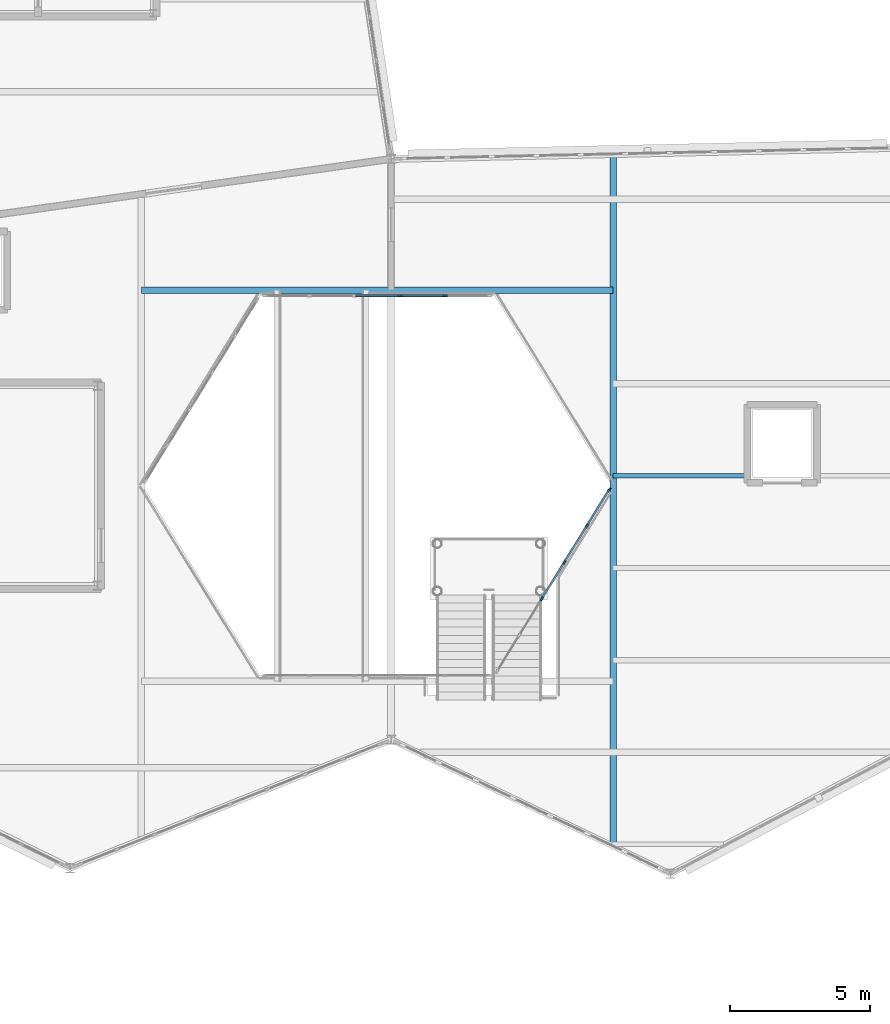
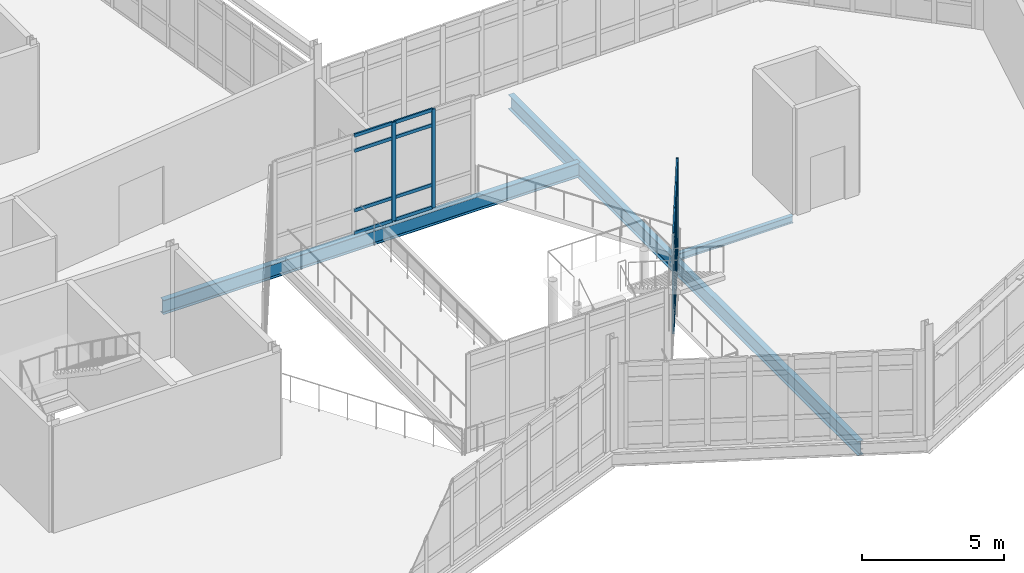
# One storey, part 24 of 76: 26 members, 3 beams, 2 elements without a shape of their own.
"""IFC4 building model written with IfcOpenShell, lengths in metres."""

from ifc_helpers import new_model, si_unit, direction, frame, origin, origin_2d, place, context, subcontext, project, spatial, rectangle, i_section, extrude, material, material_profile, profile_set, type_object, element, aggregate, save


model = new_model("IFC4")

# Units and contexts
model_context = context("Model", 3, precision=1e-05, world=origin(), true_north=direction((0.0, 1.0)))
body_context = subcontext(model_context, "Body", "Model", "MODEL_VIEW")
ifc_project = project(units=[si_unit("LENGTHUNIT", "METRE"), si_unit("AREAUNIT", "SQUARE_METRE"), si_unit("VOLUMEUNIT", "CUBIC_METRE"), si_unit("PLANEANGLEUNIT", "RADIAN"), si_unit("MASSUNIT", "GRAM", prefix="KILO")], contexts=[model_context])

# Site, building, storey
site_placement = place(None, origin())
site = spatial("IfcSite", under=ifc_project, at=site_placement, CompositionType="ELEMENT")
building_placement = place(site_placement, origin())
building = spatial("IfcBuilding", under=site, at=building_placement, Name="Tameran Prism Museum", CompositionType="ELEMENT")
storey_placement = place(building_placement, frame((0.0, 0.0, 15.0)))
storey = spatial("IfcBuildingStorey", under=building, at=storey_placement, Name="L03", CompositionType="ELEMENT", Elevation=15.0)

# Beams
ifc_material_1 = material(Name="Steel Grade 300PLUS (300 MPa)", Category="steel")
ifc_material_profile_1 = material_profile(ifc_material_1, i_section(OverallWidth=0.1650390625, OverallDepth=0.303955078125, WebThickness=0.006103515625, FlangeThickness=0.01025390625, FilletRadius=0.011474609375, at=origin_2d()))
ifc_profile_set_1 = profile_set([ifc_material_profile_1])
beam_type_1 = type_object("IfcBeamType", Name="BM-J310B", PredefinedType="JOIST", material=ifc_profile_set_1)
beam_1_placement = place(storey_placement, frame((85.449951171875, 36.85009765625, -0.35205078125), z_axis=(1.0, 0.0, 0.0), x_axis=(0.0, 1.0, 0.0)))
element("IfcBeam", 1, at=beam_1_placement, inside=storey, type_object=beam_type_1, Name="Floor Beam BM-1090", PredefinedType="JOIST", context=body_context, shape_type="SweptSolid", body=[
    extrude(i_section(OverallWidth=0.1650390625, OverallDepth=0.303955078125, WebThickness=0.006103515625, FlangeThickness=0.01025390625, FilletRadius=0.011474609375, at=origin_2d()), origin(), (0.0, 0.0, 1.0), 4.820068359375),
])
ifc_material_2 = material(Name="Steel Grade 300PLUS (300 MPa)", Category="steel")
ifc_material_profile_2 = material_profile(ifc_material_2, i_section(OverallWidth=0.22900390625, OverallDepth=0.612060546875, WebThickness=0.011962890625, FlangeThickness=0.01953125, FilletRadius=0.013916015625, at=origin_2d()))
ifc_profile_set_2 = profile_set([ifc_material_profile_2])
beam_type_2 = type_object("IfcBeamType", Name="BM-UB610A", PredefinedType="BEAM", material=ifc_profile_set_2)
beam_2_placement = place(storey_placement, frame((68.550048828125, 43.5, -0.5458984375), z_axis=(1.0, 0.0, 0.0), x_axis=(0.0, 1.0, 0.0)))
element("IfcBeam", 2, at=beam_2_placement, inside=storey, type_object=beam_type_2, Name="Atrium Transverse Trimmer ATE-1047", PredefinedType="BEAM", context=body_context, shape_type="SweptSolid", body=[
    extrude(i_section(OverallWidth=0.22900390625, OverallDepth=0.612060546875, WebThickness=0.011962890625, FlangeThickness=0.01953125, FilletRadius=0.013916015625, at=origin_2d()), origin(), (0.0, 0.0, 1.0), 16.89990234375),
])
beam_3_placement = place(storey_placement, frame((85.449951171875, 23.7060546875, -0.5458984375), z_axis=(0.0, 1.0, 0.0), x_axis=(-1.0, 0.0, 0.0)))
element("IfcBeam", 3, at=beam_3_placement, inside=storey, type_object=beam_type_2, Name="Atrium Opening Trimmer Girder AT-1049", PredefinedType="BEAM", context=body_context, shape_type="SweptSolid", body=[
    extrude(i_section(OverallWidth=0.22900390625, OverallDepth=0.612060546875, WebThickness=0.011962890625, FlangeThickness=0.01953125, FilletRadius=0.013916015625, at=origin_2d()), origin(), (0.0, 0.0, 1.0), 24.557861328125),
])

# Curtain wall, members
ifc_material_3 = material(Name="Anodised Aluminium 6063-T6 and Cyclone Solar Glass", Category="aluminium")
curtain_wall_type_1 = type_object("IfcCurtainWallType", Name="CW-ATR-769x424", PredefinedType="USERDEFINED", material=ifc_material_3)
curtain_wall_1_placement = place(storey_placement, origin())
curtain_wall_1 = element("IfcCurtainWall", 4, at=curtain_wall_1_placement, inside=storey, type_object=curtain_wall_type_1, Name="Unitised Curtain Wall CW-012", ObjectType="UNITISED CURTAIN WALL", PredefinedType="USERDEFINED")
ifc_material_4 = material(Name="Anodised Aluminium Alloy 6063-T6", Category="aluminium")
ifc_material_profile_3 = material_profile(ifc_material_4, rectangle(XDim=0.06494140625, YDim=0.159912109375, at=origin_2d()))
ifc_profile_set_3 = profile_set([ifc_material_profile_3])
member_type_1 = type_object("IfcMemberType", Name="CW-MUL-A", PredefinedType="MULLION", material=ifc_profile_set_3)
member_1_placement = place(storey_placement, frame((82.895751953125, 32.445556640625, 0.0), z_axis=(0.0, 0.0, 1.0), x_axis=(-0.850791158897, 0.525503952357, 0.0)))
member_1 = element("IfcMember", 5, at=member_1_placement, type_object=member_type_1, Name="CW-012 mullion 3", PredefinedType="MULLION", context=body_context, shape_type="SweptSolid", body=[
    extrude(rectangle(XDim=0.06494140625, YDim=0.159912109375, at=origin_2d()), origin(), (0.0, 0.0, 1.0), 4.239990234375),
])
member_2_placement = place(storey_placement, frame((83.7041015625, 33.75439453125, 0.0), z_axis=(0.0, 0.0, 1.0), x_axis=(-0.850791158897, 0.525503952357, 0.0)))
member_2 = element("IfcMember", 6, at=member_2_placement, type_object=member_type_1, Name="CW-012 mullion 4", PredefinedType="MULLION", context=body_context, shape_type="SweptSolid", body=[
    extrude(rectangle(XDim=0.06494140625, YDim=0.159912109375, at=origin_2d()), origin(), (0.0, 0.0, 1.0), 4.239990234375),
])
member_3_placement = place(storey_placement, frame((84.5126953125, 35.063232421875, 0.0), z_axis=(0.0, 0.0, 1.0), x_axis=(-0.850791158897, 0.525503952357, 0.0)))
member_3 = element("IfcMember", 7, at=member_3_placement, type_object=member_type_1, Name="CW-012 mullion 5", PredefinedType="MULLION", context=body_context, shape_type="SweptSolid", body=[
    extrude(rectangle(XDim=0.06494140625, YDim=0.159912109375, at=origin_2d()), origin(), (0.0, 0.0, 1.0), 4.239990234375),
])
member_4_placement = place(storey_placement, frame((85.303955078125, 36.34423828125, 0.0), z_axis=(0.0, 0.0, 1.0), x_axis=(-0.850791158897, 0.525503952357, 0.0)))
member_4 = element("IfcMember", 8, at=member_4_placement, type_object=member_type_1, Name="CW-012 mullion 6", PredefinedType="MULLION", context=body_context, shape_type="SweptSolid", body=[
    extrude(rectangle(XDim=0.06494140625, YDim=0.159912109375, at=origin_2d()), origin(), (0.0, 0.0, 1.0), 4.239990234375),
])

ifc_material_5 = material(Name="Anodised Aluminium 6063-T6 and Cyclone Solar Glass", Category="aluminium")
curtain_wall_type_2 = type_object("IfcCurtainWallType", Name="CW-ATR-810x424", PredefinedType="USERDEFINED", material=ifc_material_5)
curtain_wall_2_placement = place(storey_placement, origin())
curtain_wall_2 = element("IfcCurtainWall", 9, at=curtain_wall_2_placement, inside=storey, type_object=curtain_wall_type_2, Name="Unitised Curtain Wall CW-013", ObjectType="UNITISED CURTAIN WALL", PredefinedType="USERDEFINED")
member_5_placement = place(storey_placement, frame((79.429931640625, 43.300048828125, 0.0), z_axis=(0.0, 0.0, 1.0), x_axis=(0.0, -1.0, 0.0)))
member_5 = element("IfcMember", 10, at=member_5_placement, type_object=member_type_1, Name="CW-013 mullion 2", PredefinedType="MULLION", context=body_context, shape_type="SweptSolid", body=[
    extrude(rectangle(XDim=0.06494140625, YDim=0.159912109375, at=origin_2d()), origin(), (0.0, 0.0, 1.0), 4.239990234375),
])
member_6_placement = place(storey_placement, frame((77.81005859375, 43.300048828125, 0.0), z_axis=(0.0, 0.0, 1.0), x_axis=(0.0, -1.0, 0.0)))
member_6 = element("IfcMember", 11, at=member_6_placement, type_object=member_type_1, Name="CW-013 mullion 3", PredefinedType="MULLION", context=body_context, shape_type="SweptSolid", body=[
    extrude(rectangle(XDim=0.06494140625, YDim=0.159912109375, at=origin_2d()), origin(), (0.0, 0.0, 1.0), 4.239990234375),
])

# Member
ifc_material_6 = material(Name="Anodised Aluminium Alloy 6063-T6", Category="aluminium")
ifc_material_profile_4 = material_profile(ifc_material_6, rectangle(XDim=0.06494140625, YDim=0.139892578125, at=origin_2d()))
ifc_profile_set_4 = profile_set([ifc_material_profile_4])
member_type_2 = type_object("IfcMemberType", Name="CW-TRN-A", PredefinedType="USERDEFINED", material=ifc_profile_set_4)
member_7_placement = place(storey_placement, frame((82.912841796875, 32.47314453125, 0.032470703125), z_axis=(0.525418798442, 0.850843749606, 0.0), x_axis=(-0.850843749606, 0.525418798442, 0.0)))
member_7 = element("IfcMember", 12, at=member_7_placement, type_object=member_type_2, Name="CW-012 transom 3.1", ObjectType="TRANSOM", PredefinedType="USERDEFINED", context=body_context, shape_type="SweptSolid", body=[
    extrude(rectangle(XDim=0.06494140625, YDim=0.139892578125, at=origin_2d()), origin(), (0.0, 0.0, 1.0), 1.473388671875),
])

member_8_placement = place(storey_placement, frame((82.912841796875, 32.47314453125, 1.0), z_axis=(0.525418798442, 0.850843749606, 0.0), x_axis=(-0.850843749606, 0.525418798442, 0.0)))
member_8 = element("IfcMember", 13, at=member_8_placement, type_object=member_type_2, Name="CW-012 transom 3.2", ObjectType="TRANSOM", PredefinedType="USERDEFINED", context=body_context, shape_type="SweptSolid", body=[
    extrude(rectangle(XDim=0.06494140625, YDim=0.139892578125, at=origin_2d()), origin(), (0.0, 0.0, 1.0), 1.473388671875),
])

member_9_placement = place(storey_placement, frame((82.912841796875, 32.47314453125, 3.56005859375), z_axis=(0.525418798442, 0.850843749606, 0.0), x_axis=(-0.850843749606, 0.525418798442, 0.0)))
member_9 = element("IfcMember", 14, at=member_9_placement, type_object=member_type_2, Name="CW-012 transom 3.3", ObjectType="TRANSOM", PredefinedType="USERDEFINED", context=body_context, shape_type="SweptSolid", body=[
    extrude(rectangle(XDim=0.06494140625, YDim=0.139892578125, at=origin_2d()), origin(), (0.0, 0.0, 1.0), 1.473388671875),
])

member_10_placement = place(storey_placement, frame((82.912841796875, 32.47314453125, 4.20751953125), z_axis=(0.525418798442, 0.850843749606, 0.0), x_axis=(-0.850843749606, 0.525418798442, 0.0)))
member_10 = element("IfcMember", 15, at=member_10_placement, type_object=member_type_2, Name="CW-012 transom 3.4", ObjectType="TRANSOM", PredefinedType="USERDEFINED", context=body_context, shape_type="SweptSolid", body=[
    extrude(rectangle(XDim=0.06494140625, YDim=0.139892578125, at=origin_2d()), origin(), (0.0, 0.0, 1.0), 1.473388671875),
])

member_11_placement = place(storey_placement, frame((83.72119140625, 33.781982421875, 0.032470703125), z_axis=(0.525538735192, 0.850769673774, 0.0), x_axis=(-0.850769673774, 0.525538735192, 0.0)))
member_11 = element("IfcMember", 16, at=member_11_placement, type_object=member_type_2, Name="CW-012 transom 4.1", ObjectType="TRANSOM", PredefinedType="USERDEFINED", context=body_context, shape_type="SweptSolid", body=[
    extrude(rectangle(XDim=0.06494140625, YDim=0.139892578125, at=origin_2d()), origin(), (0.0, 0.0, 1.0), 1.4736328125),
])

member_12_placement = place(storey_placement, frame((83.72119140625, 33.781982421875, 1.0), z_axis=(0.525538735192, 0.850769673774, 0.0), x_axis=(-0.850769673774, 0.525538735192, 0.0)))
member_12 = element("IfcMember", 17, at=member_12_placement, type_object=member_type_2, Name="CW-012 transom 4.2", ObjectType="TRANSOM", PredefinedType="USERDEFINED", context=body_context, shape_type="SweptSolid", body=[
    extrude(rectangle(XDim=0.06494140625, YDim=0.139892578125, at=origin_2d()), origin(), (0.0, 0.0, 1.0), 1.4736328125),
])

member_13_placement = place(storey_placement, frame((83.72119140625, 33.781982421875, 3.56005859375), z_axis=(0.525538735192, 0.850769673774, 0.0), x_axis=(-0.850769673774, 0.525538735192, 0.0)))
member_13 = element("IfcMember", 18, at=member_13_placement, type_object=member_type_2, Name="CW-012 transom 4.3", ObjectType="TRANSOM", PredefinedType="USERDEFINED", context=body_context, shape_type="SweptSolid", body=[
    extrude(rectangle(XDim=0.06494140625, YDim=0.139892578125, at=origin_2d()), origin(), (0.0, 0.0, 1.0), 1.4736328125),
])

member_14_placement = place(storey_placement, frame((83.72119140625, 33.781982421875, 4.20751953125), z_axis=(0.525538735192, 0.850769673774, 0.0), x_axis=(-0.850769673774, 0.525538735192, 0.0)))
member_14 = element("IfcMember", 19, at=member_14_placement, type_object=member_type_2, Name="CW-012 transom 4.4", ObjectType="TRANSOM", PredefinedType="USERDEFINED", context=body_context, shape_type="SweptSolid", body=[
    extrude(rectangle(XDim=0.06494140625, YDim=0.139892578125, at=origin_2d()), origin(), (0.0, 0.0, 1.0), 1.4736328125),
])

member_15_placement = place(storey_placement, frame((84.52978515625, 35.0908203125, 0.032470703125), z_axis=(0.525467627301, 0.850813594543, 0.0), x_axis=(-0.850813594543, 0.525467627301, 0.0)))
member_15 = element("IfcMember", 20, at=member_15_placement, type_object=member_type_2, Name="CW-012 transom 5.1", ObjectType="TRANSOM", PredefinedType="USERDEFINED", context=body_context, shape_type="SweptSolid", body=[
    extrude(rectangle(XDim=0.06494140625, YDim=0.139892578125, at=origin_2d()), origin(), (0.0, 0.0, 1.0), 1.440673828125),
])

member_16_placement = place(storey_placement, frame((84.52978515625, 35.0908203125, 1.0), z_axis=(0.525467627301, 0.850813594543, 0.0), x_axis=(-0.850813594543, 0.525467627301, 0.0)))
member_16 = element("IfcMember", 21, at=member_16_placement, type_object=member_type_2, Name="CW-012 transom 5.2", ObjectType="TRANSOM", PredefinedType="USERDEFINED", context=body_context, shape_type="SweptSolid", body=[
    extrude(rectangle(XDim=0.06494140625, YDim=0.139892578125, at=origin_2d()), origin(), (0.0, 0.0, 1.0), 1.440673828125),
])

member_17_placement = place(storey_placement, frame((84.52978515625, 35.0908203125, 3.56005859375), z_axis=(0.525467627301, 0.850813594543, 0.0), x_axis=(-0.850813594543, 0.525467627301, 0.0)))
member_17 = element("IfcMember", 22, at=member_17_placement, type_object=member_type_2, Name="CW-012 transom 5.3", ObjectType="TRANSOM", PredefinedType="USERDEFINED", context=body_context, shape_type="SweptSolid", body=[
    extrude(rectangle(XDim=0.06494140625, YDim=0.139892578125, at=origin_2d()), origin(), (0.0, 0.0, 1.0), 1.440673828125),
])

member_18_placement = place(storey_placement, frame((84.52978515625, 35.0908203125, 4.20751953125), z_axis=(0.525467627301, 0.850813594543, 0.0), x_axis=(-0.850813594543, 0.525467627301, 0.0)))
member_18 = element("IfcMember", 23, at=member_18_placement, type_object=member_type_2, Name="CW-012 transom 5.4", ObjectType="TRANSOM", PredefinedType="USERDEFINED", context=body_context, shape_type="SweptSolid", body=[
    extrude(rectangle(XDim=0.06494140625, YDim=0.139892578125, at=origin_2d()), origin(), (0.0, 0.0, 1.0), 1.440673828125),
])

aggregate(curtain_wall_1, [member_1, member_2, member_3, member_4, member_7, member_8, member_9, member_10, member_11, member_12, member_13, member_14, member_15, member_16, member_17, member_18])

member_19_placement = place(storey_placement, frame((79.3974609375, 43.300048828125, 0.032470703125), z_axis=(-1.0, 0.0, 0.0), x_axis=(0.0, -1.0, 0.0)))
member_19 = element("IfcMember", 24, at=member_19_placement, type_object=member_type_2, Name="CW-013 transom 2.1", ObjectType="TRANSOM", PredefinedType="USERDEFINED", context=body_context, shape_type="SweptSolid", body=[
    extrude(rectangle(XDim=0.06494140625, YDim=0.139892578125, at=origin_2d()), origin(), (0.0, 0.0, 1.0), 1.554931640625),
])

member_20_placement = place(storey_placement, frame((79.3974609375, 43.300048828125, 1.0), z_axis=(-1.0, 0.0, 0.0), x_axis=(0.0, -1.0, 0.0)))
member_20 = element("IfcMember", 25, at=member_20_placement, type_object=member_type_2, Name="CW-013 transom 2.2", ObjectType="TRANSOM", PredefinedType="USERDEFINED", context=body_context, shape_type="SweptSolid", body=[
    extrude(rectangle(XDim=0.06494140625, YDim=0.139892578125, at=origin_2d()), origin(), (0.0, 0.0, 1.0), 1.554931640625),
])

member_21_placement = place(storey_placement, frame((79.3974609375, 43.300048828125, 3.56005859375), z_axis=(-1.0, 0.0, 0.0), x_axis=(0.0, -1.0, 0.0)))
member_21 = element("IfcMember", 26, at=member_21_placement, type_object=member_type_2, Name="CW-013 transom 2.3", ObjectType="TRANSOM", PredefinedType="USERDEFINED", context=body_context, shape_type="SweptSolid", body=[
    extrude(rectangle(XDim=0.06494140625, YDim=0.139892578125, at=origin_2d()), origin(), (0.0, 0.0, 1.0), 1.554931640625),
])

member_22_placement = place(storey_placement, frame((79.3974609375, 43.300048828125, 4.20751953125), z_axis=(-1.0, 0.0, 0.0), x_axis=(0.0, -1.0, 0.0)))
member_22 = element("IfcMember", 27, at=member_22_placement, type_object=member_type_2, Name="CW-013 transom 2.4", ObjectType="TRANSOM", PredefinedType="USERDEFINED", context=body_context, shape_type="SweptSolid", body=[
    extrude(rectangle(XDim=0.06494140625, YDim=0.139892578125, at=origin_2d()), origin(), (0.0, 0.0, 1.0), 1.554931640625),
])

member_23_placement = place(storey_placement, frame((77.777587890625, 43.300048828125, 0.032470703125), z_axis=(-1.0, 0.0, 0.0), x_axis=(0.0, -1.0, 0.0)))
member_23 = element("IfcMember", 28, at=member_23_placement, type_object=member_type_2, Name="CW-013 transom 3.1", ObjectType="TRANSOM", PredefinedType="USERDEFINED", context=body_context, shape_type="SweptSolid", body=[
    extrude(rectangle(XDim=0.06494140625, YDim=0.139892578125, at=origin_2d()), origin(), (0.0, 0.0, 1.0), 1.55517578125),
])

member_24_placement = place(storey_placement, frame((77.777587890625, 43.300048828125, 1.0), z_axis=(-1.0, 0.0, 0.0), x_axis=(0.0, -1.0, 0.0)))
member_24 = element("IfcMember", 29, at=member_24_placement, type_object=member_type_2, Name="CW-013 transom 3.2", ObjectType="TRANSOM", PredefinedType="USERDEFINED", context=body_context, shape_type="SweptSolid", body=[
    extrude(rectangle(XDim=0.06494140625, YDim=0.139892578125, at=origin_2d()), origin(), (0.0, 0.0, 1.0), 1.55517578125),
])

member_25_placement = place(storey_placement, frame((77.777587890625, 43.300048828125, 3.56005859375), z_axis=(-1.0, 0.0, 0.0), x_axis=(0.0, -1.0, 0.0)))
member_25 = element("IfcMember", 30, at=member_25_placement, type_object=member_type_2, Name="CW-013 transom 3.3", ObjectType="TRANSOM", PredefinedType="USERDEFINED", context=body_context, shape_type="SweptSolid", body=[
    extrude(rectangle(XDim=0.06494140625, YDim=0.139892578125, at=origin_2d()), origin(), (0.0, 0.0, 1.0), 1.55517578125),
])

member_26_placement = place(storey_placement, frame((77.777587890625, 43.300048828125, 4.20751953125), z_axis=(-1.0, 0.0, 0.0), x_axis=(0.0, -1.0, 0.0)))
member_26 = element("IfcMember", 31, at=member_26_placement, type_object=member_type_2, Name="CW-013 transom 3.4", ObjectType="TRANSOM", PredefinedType="USERDEFINED", context=body_context, shape_type="SweptSolid", body=[
    extrude(rectangle(XDim=0.06494140625, YDim=0.139892578125, at=origin_2d()), origin(), (0.0, 0.0, 1.0), 1.55517578125),
])

aggregate(curtain_wall_2, [member_5, member_6, member_19, member_20, member_21, member_22, member_23, member_24, member_25, member_26])

save(model, "model.ifc")
